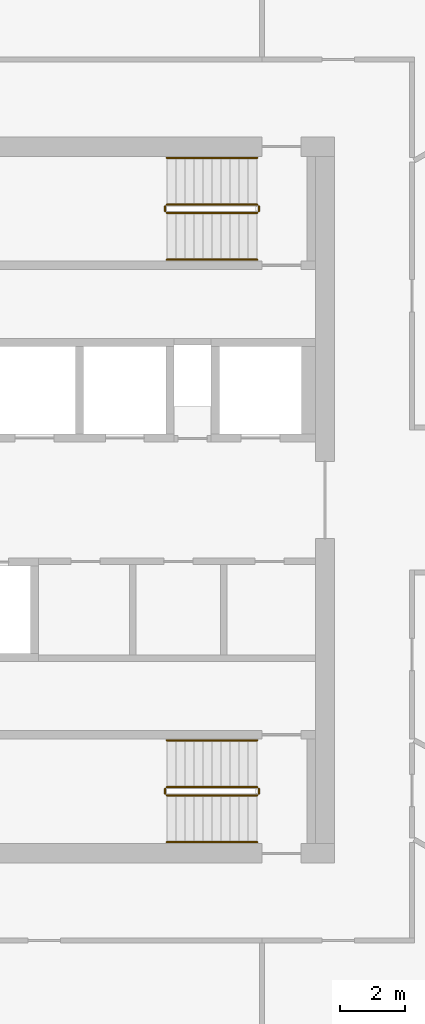
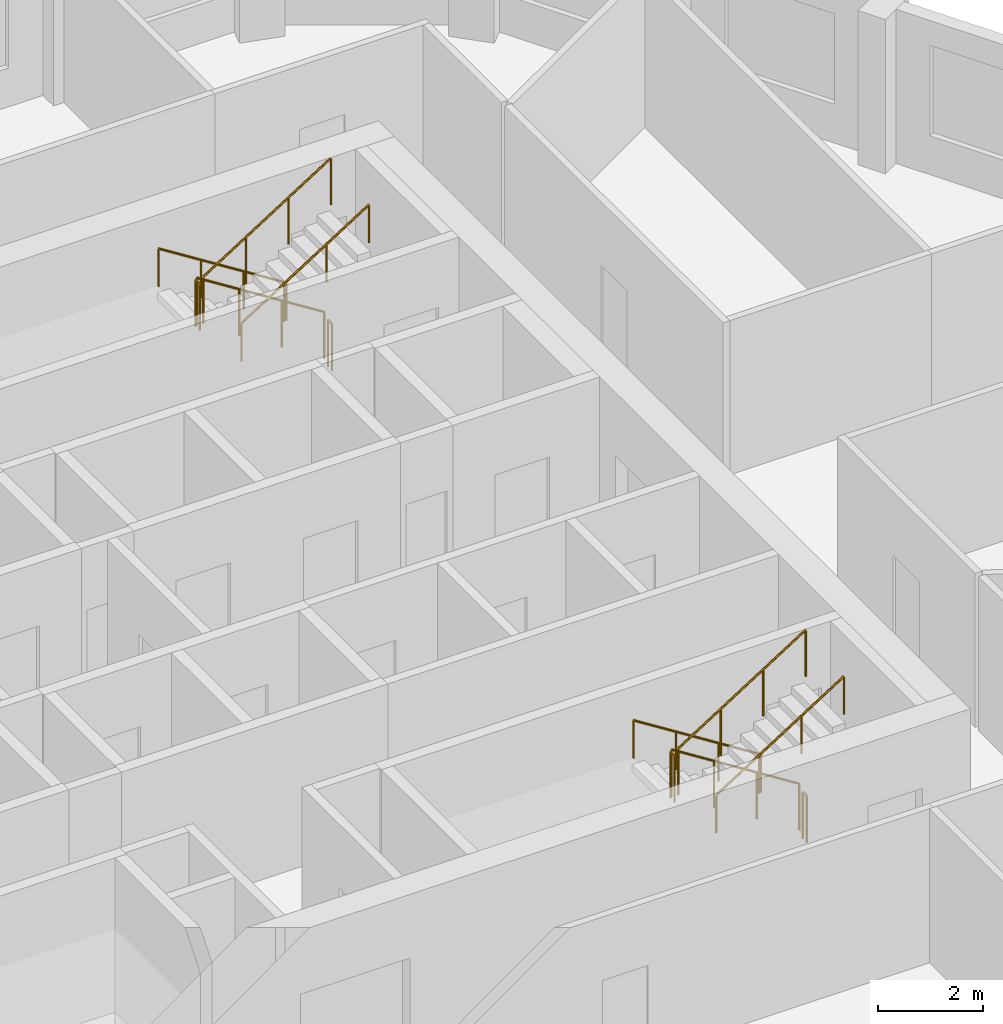
# One storey, part 9 of 9: 12 railings.
"""IFC4 building model written with IfcOpenShell, lengths in metres."""

from ifc_helpers import new_model, si_unit, direction, frame, origin, origin_2d, place, context, subcontext, project, spatial, circle, extrude, material, type_object, element, save


model = new_model("IFC4")

# Units and contexts
model_context = context("Model", 3, precision=1e-05, world=origin(), true_north=direction((0.0, 1.0)))
body_context = subcontext(model_context, "Body", "Model", "MODEL_VIEW")
ifc_project = project(units=[si_unit("LENGTHUNIT", "METRE"), si_unit("AREAUNIT", "SQUARE_METRE"), si_unit("VOLUMEUNIT", "CUBIC_METRE"), si_unit("PLANEANGLEUNIT", "RADIAN"), si_unit("MASSUNIT", "GRAM", prefix="KILO")], contexts=[model_context])

# Site, building, storey
site_placement = place(None, origin())
site = spatial("IfcSite", under=ifc_project, at=site_placement, CompositionType="ELEMENT")
building_placement = place(site_placement, origin())
building = spatial("IfcBuilding", under=site, at=building_placement, Name="Dhurran Vertical Campus", CompositionType="ELEMENT")
storey_placement = place(building_placement, frame((0.0, 0.0, 294.300048828125)))
storey = spatial("IfcBuildingStorey", under=building, at=storey_placement, Name="L73", CompositionType="ELEMENT", Elevation=294.300048828125)

# Railings
ifc_material_1 = material(Name="Stainless steel balustrade", Category="steel")
railing_type_1 = type_object("IfcRailingType", Name="co-RL-GUARD-1100", PredefinedType="GUARDRAIL", material=ifc_material_1)
railing_1_placement = place(storey_placement, frame((11.10009765625, 9.14990234375, 0.17724609375)))
element("IfcRailing", 1, at=railing_1_placement, inside=storey, type_object=railing_type_1, Name="L73 ST2 stair guard 1", PredefinedType="GUARDRAIL", context=body_context, shape_type="SweptSolid", body=[
    extrude(circle(Radius=0.02392578125, at=origin_2d()), frame((0.0, 0.0, 1.076171875), z_axis=(-0.844908973607, 0.0, 0.534910110503), x_axis=(0.0, -1.0, 0.0)), (0.0, 0.0, 1.0), 3.31396484375),
    extrude(circle(Radius=0.02099609375, at=origin_2d()), origin(), (0.0, 0.0, 1.0), 1.052001953125),
    extrude(circle(Radius=0.02099609375, at=origin_2d()), frame((-0.933349609375, 0.0, 0.5908203125)), (0.0, 0.0, 1.0), 1.052001953125),
    extrude(circle(Radius=0.02099609375, at=origin_2d()), frame((-1.86669921875, 0.0, 1.181884765625)), (0.0, 0.0, 1.0), 1.052001953125),
    extrude(circle(Radius=0.02099609375, at=origin_2d()), frame((-2.800048828125, 0.0, 1.772705078125)), (0.0, 0.0, 1.0), 1.052001953125),
])
railing_2_placement = place(storey_placement, frame((8.25, 9.10009765625, 1.949951171875)))
element("IfcRailing", 2, at=railing_2_placement, inside=storey, type_object=railing_type_1, Name="L73 ST2 stair guard 2", PredefinedType="GUARDRAIL", context=body_context, shape_type="SweptSolid", body=[
    extrude(circle(Radius=0.02392578125, at=origin_2d()), frame((0.0, 0.0, 1.076171875), z_axis=(0.0, -1.0, 0.0), x_axis=(1.0, 0.0, 0.0)), (0.0, 0.0, 1.0), 0.150146484375),
    extrude(circle(Radius=0.02099609375, at=origin_2d()), origin(), (0.0, 0.0, 1.0), 1.052001953125),
    extrude(circle(Radius=0.02099609375, at=origin_2d()), frame((0.0, -0.150146484375, 0.0)), (0.0, 0.0, 1.0), 1.052001953125),
])
railing_3_placement = place(storey_placement, frame((8.300048828125, 8.89990234375, 2.127197265625)))
element("IfcRailing", 3, at=railing_3_placement, inside=storey, type_object=railing_type_1, Name="L73 ST2 stair guard 3", PredefinedType="GUARDRAIL", context=body_context, shape_type="SweptSolid", body=[
    extrude(circle(Radius=0.02392578125, at=origin_2d()), frame((0.0, 0.0, 1.076171875), z_axis=(0.844908973607, 0.0, 0.534910110503), x_axis=(0.0, 1.0, 0.0)), (0.0, 0.0, 1.0), 3.31396484375),
    extrude(circle(Radius=0.02099609375, at=origin_2d()), origin(), (0.0, 0.0, 1.0), 1.052001953125),
    extrude(circle(Radius=0.02099609375, at=origin_2d()), frame((0.933349609375, 0.0, 0.5908203125)), (0.0, 0.0, 1.0), 1.052001953125),
    extrude(circle(Radius=0.02099609375, at=origin_2d()), frame((1.86669921875, 0.0, 1.181884765625)), (0.0, 0.0, 1.0), 1.052001953125),
    extrude(circle(Radius=0.02099609375, at=origin_2d()), frame((2.800048828125, 0.0, 1.772705078125)), (0.0, 0.0, 1.0), 1.052001953125),
])
railing_4_placement = place(storey_placement, frame((11.14990234375, 9.10009765625, 0.0)))
element("IfcRailing", 4, at=railing_4_placement, inside=storey, type_object=railing_type_1, Name="L73 ST2 stair guard 4", PredefinedType="GUARDRAIL", context=body_context, shape_type="SweptSolid", body=[
    extrude(circle(Radius=0.02392578125, at=origin_2d()), frame((0.0, 0.0, 1.076171875), z_axis=(0.0, -1.0, 0.0), x_axis=(1.0, 0.0, 0.0)), (0.0, 0.0, 1.0), 0.150146484375),
    extrude(circle(Radius=0.02099609375, at=origin_2d()), origin(), (0.0, 0.0, 1.0), 1.052001953125),
    extrude(circle(Radius=0.02099609375, at=origin_2d()), frame((0.0, -0.150146484375, 0.0)), (0.0, 0.0, 1.0), 1.052001953125),
])
railing_5_placement = place(storey_placement, frame((11.10009765625, -8.89990234375, 0.17724609375)))
element("IfcRailing", 5, at=railing_5_placement, inside=storey, type_object=railing_type_1, Name="L73 ST4 stair guard 1", PredefinedType="GUARDRAIL", context=body_context, shape_type="SweptSolid", body=[
    extrude(circle(Radius=0.02392578125, at=origin_2d()), frame((0.0, 0.0, 1.076171875), z_axis=(-0.844908973607, 0.0, 0.534910110503), x_axis=(0.0, -1.0, 0.0)), (0.0, 0.0, 1.0), 3.31396484375),
    extrude(circle(Radius=0.02099609375, at=origin_2d()), origin(), (0.0, 0.0, 1.0), 1.052001953125),
    extrude(circle(Radius=0.02099609375, at=origin_2d()), frame((-0.933349609375, 0.0, 0.5908203125)), (0.0, 0.0, 1.0), 1.052001953125),
    extrude(circle(Radius=0.02099609375, at=origin_2d()), frame((-1.86669921875, 0.0, 1.181884765625)), (0.0, 0.0, 1.0), 1.052001953125),
    extrude(circle(Radius=0.02099609375, at=origin_2d()), frame((-2.800048828125, 0.0, 1.772705078125)), (0.0, 0.0, 1.0), 1.052001953125),
])
railing_6_placement = place(storey_placement, frame((8.25, -8.949951171875, 1.949951171875)))
element("IfcRailing", 6, at=railing_6_placement, inside=storey, type_object=railing_type_1, Name="L73 ST4 stair guard 2", PredefinedType="GUARDRAIL", context=body_context, shape_type="SweptSolid", body=[
    extrude(circle(Radius=0.02392578125, at=origin_2d()), frame((0.0, 0.0, 1.076171875), z_axis=(0.0, -1.0, 0.0), x_axis=(1.0, 0.0, 0.0)), (0.0, 0.0, 1.0), 0.150146484375),
    extrude(circle(Radius=0.02099609375, at=origin_2d()), origin(), (0.0, 0.0, 1.0), 1.052001953125),
    extrude(circle(Radius=0.02099609375, at=origin_2d()), frame((0.0, -0.150146484375, 0.0)), (0.0, 0.0, 1.0), 1.052001953125),
])
railing_7_placement = place(storey_placement, frame((8.300048828125, -9.14990234375, 2.127197265625)))
element("IfcRailing", 7, at=railing_7_placement, inside=storey, type_object=railing_type_1, Name="L73 ST4 stair guard 3", PredefinedType="GUARDRAIL", context=body_context, shape_type="SweptSolid", body=[
    extrude(circle(Radius=0.02392578125, at=origin_2d()), frame((0.0, 0.0, 1.076171875), z_axis=(0.844908973607, 0.0, 0.534910110503), x_axis=(0.0, 1.0, 0.0)), (0.0, 0.0, 1.0), 3.31396484375),
    extrude(circle(Radius=0.02099609375, at=origin_2d()), origin(), (0.0, 0.0, 1.0), 1.052001953125),
    extrude(circle(Radius=0.02099609375, at=origin_2d()), frame((0.933349609375, 0.0, 0.5908203125)), (0.0, 0.0, 1.0), 1.052001953125),
    extrude(circle(Radius=0.02099609375, at=origin_2d()), frame((1.86669921875, 0.0, 1.181884765625)), (0.0, 0.0, 1.0), 1.052001953125),
    extrude(circle(Radius=0.02099609375, at=origin_2d()), frame((2.800048828125, 0.0, 1.772705078125)), (0.0, 0.0, 1.0), 1.052001953125),
])
railing_8_placement = place(storey_placement, frame((11.14990234375, -8.949951171875, 0.0)))
element("IfcRailing", 8, at=railing_8_placement, inside=storey, type_object=railing_type_1, Name="L73 ST4 stair guard 4", PredefinedType="GUARDRAIL", context=body_context, shape_type="SweptSolid", body=[
    extrude(circle(Radius=0.02392578125, at=origin_2d()), frame((0.0, 0.0, 1.076171875), z_axis=(0.0, -1.0, 0.0), x_axis=(1.0, 0.0, 0.0)), (0.0, 0.0, 1.0), 0.150146484375),
    extrude(circle(Radius=0.02099609375, at=origin_2d()), origin(), (0.0, 0.0, 1.0), 1.052001953125),
    extrude(circle(Radius=0.02099609375, at=origin_2d()), frame((0.0, -0.150146484375, 0.0)), (0.0, 0.0, 1.0), 1.052001953125),
])
ifc_material_2 = material(Name="Stainless steel handrail", Category="steel")
railing_type_2 = type_object("IfcRailingType", Name="co-RL-HANDRAIL-900", PredefinedType="HANDRAIL", material=ifc_material_2)
railing_9_placement = place(storey_placement, frame((11.10009765625, 10.60009765625, 0.17724609375)))
element("IfcRailing", 9, at=railing_9_placement, inside=storey, type_object=railing_type_2, Name="L73 ST2 stair handrail 1", PredefinedType="HANDRAIL", context=body_context, shape_type="SweptSolid", body=[
    extrude(circle(Radius=0.02392578125, at=origin_2d()), frame((0.0, 0.0, 0.8759765625), z_axis=(-0.844908973607, 0.0, 0.534910110503), x_axis=(0.0, -1.0, 0.0)), (0.0, 0.0, 1.0), 3.31396484375),
    extrude(circle(Radius=0.02099609375, at=origin_2d()), origin(), (0.0, 0.0, 1.0), 0.851806640625),
    extrude(circle(Radius=0.02099609375, at=origin_2d()), frame((-0.933349609375, 0.0, 0.5908203125)), (0.0, 0.0, 1.0), 0.851806640625),
    extrude(circle(Radius=0.02099609375, at=origin_2d()), frame((-1.86669921875, 0.0, 1.181884765625)), (0.0, 0.0, 1.0), 0.851806640625),
    extrude(circle(Radius=0.02099609375, at=origin_2d()), frame((-2.800048828125, 0.0, 1.772705078125)), (0.0, 0.0, 1.0), 0.851806640625),
])
railing_10_placement = place(storey_placement, frame((8.300048828125, 7.449951171875, 2.127197265625)))
element("IfcRailing", 10, at=railing_10_placement, inside=storey, type_object=railing_type_2, Name="L73 ST2 stair handrail 2", PredefinedType="HANDRAIL", context=body_context, shape_type="SweptSolid", body=[
    extrude(circle(Radius=0.02392578125, at=origin_2d()), frame((0.0, 0.0, 0.8759765625), z_axis=(0.844908973607, 0.0, 0.534910110503), x_axis=(0.0, 1.0, 0.0)), (0.0, 0.0, 1.0), 3.31396484375),
    extrude(circle(Radius=0.02099609375, at=origin_2d()), origin(), (0.0, 0.0, 1.0), 0.851806640625),
    extrude(circle(Radius=0.02099609375, at=origin_2d()), frame((0.933349609375, 0.0, 0.5908203125)), (0.0, 0.0, 1.0), 0.851806640625),
    extrude(circle(Radius=0.02099609375, at=origin_2d()), frame((1.86669921875, 0.0, 1.181884765625)), (0.0, 0.0, 1.0), 0.851806640625),
    extrude(circle(Radius=0.02099609375, at=origin_2d()), frame((2.800048828125, 0.0, 1.772705078125)), (0.0, 0.0, 1.0), 0.851806640625),
])
railing_11_placement = place(storey_placement, frame((11.10009765625, -7.449951171875, 0.17724609375)))
element("IfcRailing", 11, at=railing_11_placement, inside=storey, type_object=railing_type_2, Name="L73 ST4 stair handrail 1", PredefinedType="HANDRAIL", context=body_context, shape_type="SweptSolid", body=[
    extrude(circle(Radius=0.02392578125, at=origin_2d()), frame((0.0, 0.0, 0.8759765625), z_axis=(-0.844908973607, 0.0, 0.534910110503), x_axis=(0.0, -1.0, 0.0)), (0.0, 0.0, 1.0), 3.31396484375),
    extrude(circle(Radius=0.02099609375, at=origin_2d()), origin(), (0.0, 0.0, 1.0), 0.851806640625),
    extrude(circle(Radius=0.02099609375, at=origin_2d()), frame((-0.933349609375, 0.0, 0.5908203125)), (0.0, 0.0, 1.0), 0.851806640625),
    extrude(circle(Radius=0.02099609375, at=origin_2d()), frame((-1.86669921875, 0.0, 1.181884765625)), (0.0, 0.0, 1.0), 0.851806640625),
    extrude(circle(Radius=0.02099609375, at=origin_2d()), frame((-2.800048828125, 0.0, 1.772705078125)), (0.0, 0.0, 1.0), 0.851806640625),
])
railing_12_placement = place(storey_placement, frame((8.300048828125, -10.60009765625, 2.127197265625)))
element("IfcRailing", 12, at=railing_12_placement, inside=storey, type_object=railing_type_2, Name="L73 ST4 stair handrail 2", PredefinedType="HANDRAIL", context=body_context, shape_type="SweptSolid", body=[
    extrude(circle(Radius=0.02392578125, at=origin_2d()), frame((0.0, 0.0, 0.8759765625), z_axis=(0.844908973607, 0.0, 0.534910110503), x_axis=(0.0, 1.0, 0.0)), (0.0, 0.0, 1.0), 3.31396484375),
    extrude(circle(Radius=0.02099609375, at=origin_2d()), origin(), (0.0, 0.0, 1.0), 0.851806640625),
    extrude(circle(Radius=0.02099609375, at=origin_2d()), frame((0.933349609375, 0.0, 0.5908203125)), (0.0, 0.0, 1.0), 0.851806640625),
    extrude(circle(Radius=0.02099609375, at=origin_2d()), frame((1.86669921875, 0.0, 1.181884765625)), (0.0, 0.0, 1.0), 0.851806640625),
    extrude(circle(Radius=0.02099609375, at=origin_2d()), frame((2.800048828125, 0.0, 1.772705078125)), (0.0, 0.0, 1.0), 0.851806640625),
])

save(model, "model.ifc")
